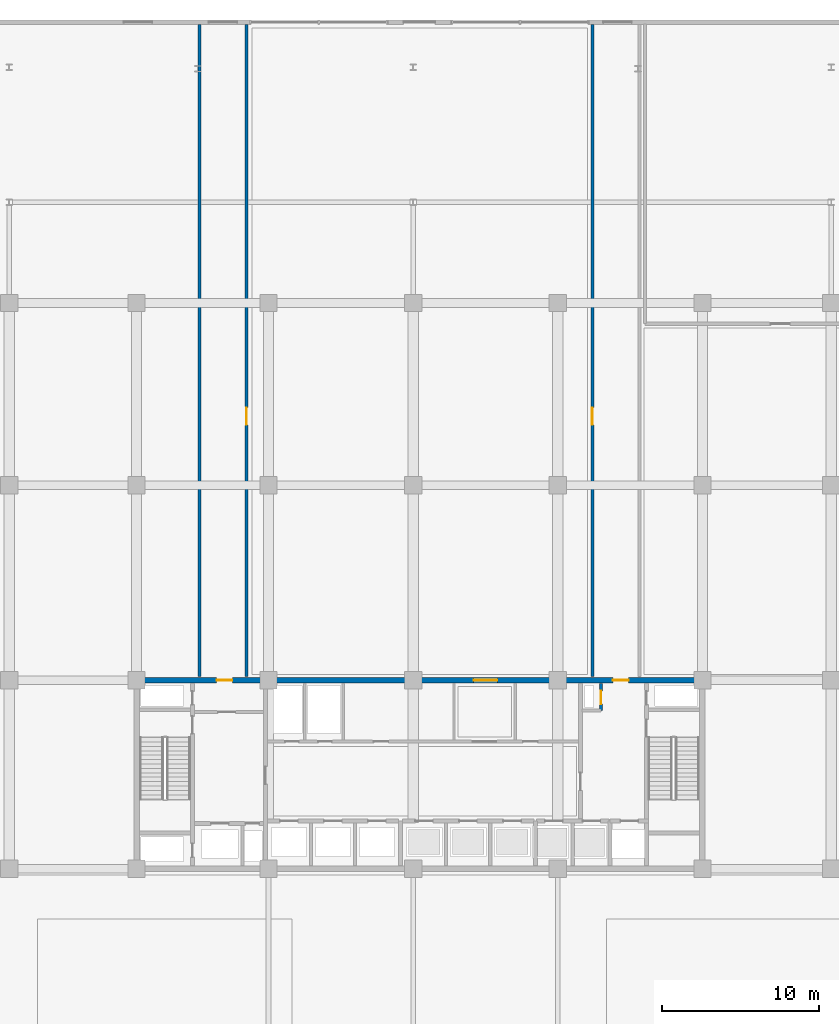
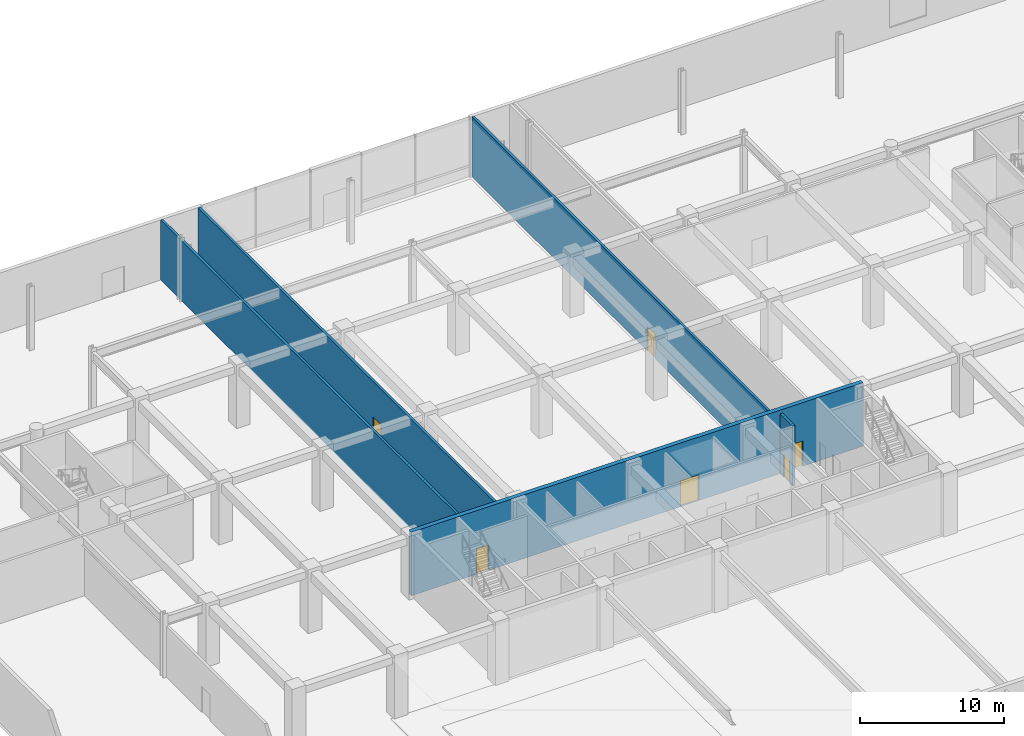
# One storey, part 27 of 46: 6 doors, 5 walls, 6 openings.
"""IFC4 building model written with IfcOpenShell, lengths in metres."""

import ifcopenshell
import ifcopenshell.guid

model = None  # the IFC model being written
_history = None  # IfcOwnerHistory: only IFC2X3 demands one
_inside = {}  # id of a spatial element -> (the spatial element, [elements in it])
_under = {}  # id of a project, library or spatial element -> (it, [spatial elements below it])
_declared = {}  # id of a project -> (the project, [libraries it declares])
_typed = {}  # id of a type object -> (the type object, [elements of that type])
_made_of = {}  # id of a material, layer set ... -> (it, [elements and type objects made of it])


def new_model(schema):
    """Start an empty IFC model of exactly this schema.

    Asked for "IFC4X3", IfcOpenShell would pick the latest addendum, in which some entities
    have other attributes; the version numbers below select the first issue.
    IFC2X3 requires an IfcOwnerHistory on every rooted entity: one is made here for all.
    """
    global model, _history
    if schema == "IFC4X3":
        model = ifcopenshell.file(schema_version=(4, 3, 0, 0))
    else:
        model = ifcopenshell.file(schema=schema)
    _inside.clear()
    _under.clear()
    _declared.clear()
    _typed.clear()
    _made_of.clear()
    _history = None
    if model.schema == "IFC2X3":
        org = make("IfcOrganization", Name="unknown")
        user = make(
            "IfcPersonAndOrganization",
            ThePerson=make("IfcPerson", FamilyName="unknown"),
            TheOrganization=org,
        )
        app = make(
            "IfcApplication",
            ApplicationDeveloper=org,
            Version="unknown",
            ApplicationFullName="unknown",
            ApplicationIdentifier="unknown",
        )
        _history = make(
            "IfcOwnerHistory",
            OwningUser=user,
            OwningApplication=app,
            ChangeAction="ADDED",
            CreationDate=0,
        )
    return model


def make(cls, **values):
    """One entity of the class cls with the attributes given. An attribute that is None is left unset."""
    return model.create_entity(
        cls, **{name: value for name, value in values.items() if value is not None}
    )


def rooted(cls, **values):
    """An entity with a GlobalId (a new one), such as an element, a storey or a relation."""
    return make(cls, GlobalId=ifcopenshell.guid.new(), OwnerHistory=_history, **values)


def si_unit(unit_type, name, prefix=None):
    """IfcSIUnit, for example si_unit("LENGTHUNIT", "METRE", prefix="MILLI")."""
    return make("IfcSIUnit", UnitType=unit_type, Prefix=prefix, Name=name)


def assignment(units):
    """IfcUnitAssignment: the units of a project."""
    return None if units is None else make("IfcUnitAssignment", Units=units)


def point(xyz):
    """IfcCartesianPoint."""
    return None if xyz is None else make("IfcCartesianPoint", Coordinates=xyz)


def direction(xyz):
    """IfcDirection."""
    return None if xyz is None else make("IfcDirection", DirectionRatios=xyz)


def frame(location, z_axis=None, x_axis=None):
    """IfcAxis2Placement3D, a coordinate frame: its origin and axes. An axis left out is left unset."""
    return make(
        "IfcAxis2Placement3D",
        Location=point(location),
        Axis=direction(z_axis),
        RefDirection=direction(x_axis),
    )


def frame_2d(location, x_axis=None):
    """IfcAxis2Placement2D, a coordinate frame in the plane: its origin and x axis."""
    return make(
        "IfcAxis2Placement2D", Location=point(location), RefDirection=direction(x_axis)
    )


def origin():
    """The frame at (0, 0, 0) with its axes left unset."""
    return frame((0.0, 0.0, 0.0))


def place(relative_to, where):
    """IfcLocalPlacement: puts the frame where relative to a parent placement (None: the world)."""
    return make(
        "IfcLocalPlacement", PlacementRelTo=relative_to, RelativePlacement=where
    )


def context(
    kind, dimensions, precision=None, world=None, true_north=None, identifier=None
):
    """IfcGeometricRepresentationContext, for example the 3D "Model" context."""
    return make(
        "IfcGeometricRepresentationContext",
        ContextIdentifier=identifier,
        ContextType=kind,
        CoordinateSpaceDimension=dimensions,
        Precision=precision,
        WorldCoordinateSystem=world,
        TrueNorth=true_north,
    )


def subcontext(parent, identifier, kind, view, scale=None):
    """IfcGeometricRepresentationSubContext, for example "Body" below "Model"."""
    return make(
        "IfcGeometricRepresentationSubContext",
        ContextIdentifier=identifier,
        ContextType=kind,
        ParentContext=parent,
        TargetScale=scale,
        TargetView=view,
    )


def project(units=None, contexts=None):
    """IfcProject with its units and contexts."""
    return rooted(
        "IfcProject",
        Name="project",
        RepresentationContexts=contexts,
        UnitsInContext=assignment(units),
    )


def spatial(cls, under=None, at=None, **own):
    """A site, building, storey or space (cls), placed at a placement, below another one or the project."""
    s = rooted(cls, ObjectPlacement=at, **own)
    if under is not None:
        _under.setdefault(under.id(), (under, []))[1].append(s)
    return s


def profile(cls, at=None, kind="AREA", **sizes):
    """A parametric profile (cls). Its sizes go by their IFC names, for example OverallWidth=200.0."""
    return make(cls, ProfileType=kind, Position=at, **sizes)


def rectangle(**sizes):
    """IfcRectangleProfileDef."""
    return profile("IfcRectangleProfileDef", **sizes)


def extrude(swept, where, along, depth):
    """IfcExtrudedAreaSolid: the profile swept, set in the frame where, extruded along a direction by depth."""
    return make(
        "IfcExtrudedAreaSolid",
        SweptArea=swept,
        Position=where,
        ExtrudedDirection=direction(along),
        Depth=depth,
    )


def shape(context_of_items, identifier, shape_type, items):
    """IfcShapeRepresentation: the items that make up one representation, for example the "Body"."""
    return make(
        "IfcShapeRepresentation",
        ContextOfItems=context_of_items,
        RepresentationIdentifier=identifier,
        RepresentationType=shape_type,
        Items=items,
    )


def material(Name=None, Category=None):
    """IfcMaterial."""
    return make("IfcMaterial", Name=Name, Category=Category)


def layer(
    of_material, thickness, ventilated=None, Name=None, Category=None, Priority=None
):
    """IfcMaterialLayer: one layer of a wall or slab, of a material (None: an air gap)."""
    return make(
        "IfcMaterialLayer",
        Material=of_material,
        LayerThickness=thickness,
        IsVentilated=ventilated,
        Name=Name,
        Category=Category,
        Priority=Priority,
    )


def layer_set(layers, Name=None):
    """IfcMaterialLayerSet."""
    return make("IfcMaterialLayerSet", MaterialLayers=layers, LayerSetName=Name)


def made_of(thing, what):
    """Note that an element or type object is made of a material, layer set ...; save() writes the relation."""
    if what is not None:
        _made_of.setdefault(what.id(), (what, []))[1].append(thing)
    return thing


def type_object(cls, material=None, **own):
    """A type object (cls), such as IfcWallType, which elements share."""
    return made_of(rooted(cls, **own), material)


def element(
    cls,
    number,
    at=None,
    inside=None,
    cuts=None,
    type_object=None,
    material=None,
    context=None,
    identifier="Body",
    shape_type=None,
    held_by="IfcProductDefinitionShape",
    body=None,
    shapes=None,
    **own,
):
    """One element of the class cls, such as IfcWall. Its Tag is "e" and its number.

    at: its placement. inside: the storey or other place that contains it. cuts: it is an
    opening in that element (IfcRelVoidsElement). A single representation is given by context,
    identifier, shape_type and body (its items); several are given by shapes. held_by: the class
    of the entity that holds the representations. save() writes the other relations.
    """
    e = rooted(cls, Tag="e%d" % number, ObjectPlacement=at, **own)
    if body is not None:
        shapes = [shape(context, identifier, shape_type, body)]
    if shapes is not None:
        e.Representation = make(held_by, Representations=shapes)
    if inside is not None:
        _inside.setdefault(inside.id(), (inside, []))[1].append(e)
    if cuts is not None:
        rooted(
            "IfcRelVoidsElement", RelatingBuildingElement=cuts, RelatedOpeningElement=e
        )
    if type_object is not None:
        _typed.setdefault(type_object.id(), (type_object, []))[1].append(e)
    return made_of(e, material)


def fill(opening, filler):
    """IfcRelFillsElement: the door or window that sits in an opening."""
    return rooted(
        "IfcRelFillsElement",
        RelatingOpeningElement=opening,
        RelatedBuildingElement=filler,
    )


def aggregate(whole, parts):
    """IfcRelAggregates: a whole, such as a stair, and the parts it consists of."""
    return rooted("IfcRelAggregates", RelatingObject=whole, RelatedObjects=parts)


def save(model, path):
    """Write the relations noted so far, then the file.

    IfcRelAggregates (storeys below a building ...), IfcRelContainedInSpatialStructure (elements
    in a storey), IfcRelDefinesByType, IfcRelAssociatesMaterial and IfcRelDeclares: one each for
    every whole, place, type object, material and project.
    """
    for whole, parts in _under.values():
        aggregate(whole, parts)
    for where, things in _inside.values():
        rooted(
            "IfcRelContainedInSpatialStructure",
            RelatedElements=things,
            RelatingStructure=where,
        )
    for kind, things in _typed.values():
        rooted("IfcRelDefinesByType", RelatedObjects=things, RelatingType=kind)
    for what, things in _made_of.values():
        rooted("IfcRelAssociatesMaterial", RelatedObjects=things, RelatingMaterial=what)
    for by, libraries in _declared.values():
        rooted("IfcRelDeclares", RelatingContext=by, RelatedDefinitions=libraries)
    model.write(path)


model = new_model("IFC4")

# Units and contexts
model_context = context("Model", 3, precision=1e-05, world=origin(), true_north=direction((0.0, 1.0)))
body_context = subcontext(model_context, "Body", "Model", "MODEL_VIEW")
ifc_project = project(units=[si_unit("LENGTHUNIT", "METRE"), si_unit("AREAUNIT", "SQUARE_METRE"), si_unit("VOLUMEUNIT", "CUBIC_METRE"), si_unit("PLANEANGLEUNIT", "RADIAN"), si_unit("MASSUNIT", "GRAM", prefix="KILO")], contexts=[model_context])

# Site, building, storey
site_placement = place(None, origin())
site = spatial("IfcSite", under=ifc_project, at=site_placement, CompositionType="ELEMENT")
building_placement = place(site_placement, origin())
building = spatial("IfcBuilding", under=site, at=building_placement, Name="Korimba Cascade Residences", CompositionType="ELEMENT")
storey_placement = place(building_placement, origin())
storey = spatial("IfcBuildingStorey", under=building, at=storey_placement, Name="L00", CompositionType="ELEMENT", Elevation=0.0)

# Wall, openings, doors
ifc_material_1 = material(Name="Concrete C65/80", Category="concrete")
ifc_layer_1 = layer(ifc_material_1, 0.35009765625)
ifc_layer_set_1 = layer_set([ifc_layer_1], Name="Concrete C65/80")
wall_type_1 = type_object("IfcWallType", Name="WAL-CORE-350", PredefinedType="SHEAR", material=ifc_layer_set_1)
wall_1_placement = place(storey_placement, frame((75.949951171875, 67.199951171875, 0.0), z_axis=(0.0, 0.0, 1.0), x_axis=(1.0, 0.0, 0.0)))
wall_1 = element("IfcWall", 1, at=wall_1_placement, inside=storey, type_object=wall_type_1, Name="L00 Core Shear Wall CW-L00-T1-N", PredefinedType="SHEAR", context=body_context, shape_type="SweptSolid", body=[
    extrude(rectangle(XDim=36.300048828125, YDim=0.35009765625, at=frame_2d((18.14990234375, 0.0))), origin(), (0.0, 0.0, 1.0), 5.39990234375),
])
opening_1_placement = place(wall_1_placement, frame((5.25, 0.0, 0.0)))
opening_1 = element("IfcOpeningElement", 2, at=opening_1_placement, cuts=wall_1, Name="Opening D-FD5", PredefinedType="OPENING", context=body_context, shape_type="SweptSolid", body=[
    extrude(rectangle(XDim=1.0, YDim=2.14990234375, at=frame_2d((0.5, 1.074951171875))), frame((0.0, 0.18505859375, 0.0), z_axis=(0.0, -1.0, 0.0), x_axis=(1.0, 0.0, 0.0)), (0.0, 0.0, 1.0), 0.3701171875),
])
opening_2_placement = place(wall_1_placement, frame((21.60009765625, 0.0, 0.0)))
opening_2 = element("IfcOpeningElement", 3, at=opening_2_placement, cuts=wall_1, Name="Opening D-FD8", PredefinedType="OPENING", context=body_context, shape_type="SweptSolid", body=[
    extrude(rectangle(XDim=1.5, YDim=2.199951171875, at=frame_2d((0.75, 1.10009765625))), frame((0.0, 0.18505859375, 0.0), z_axis=(0.0, -1.0, 0.0), x_axis=(1.0, 0.0, 0.0)), (0.0, 0.0, 1.0), 0.3701171875),
])
opening_3_placement = place(wall_1_placement, frame((30.449951171875, 0.0, 0.0)))
opening_3 = element("IfcOpeningElement", 4, at=opening_3_placement, cuts=wall_1, Name="Opening D-FD5", PredefinedType="OPENING", context=body_context, shape_type="SweptSolid", body=[
    extrude(rectangle(XDim=1.0, YDim=2.14990234375, at=frame_2d((0.5, 1.074951171875))), frame((0.0, 0.18505859375, 0.0), z_axis=(0.0, -1.0, 0.0), x_axis=(1.0, 0.0, 0.0)), (0.0, 0.0, 1.0), 0.3701171875),
])
ifc_material_2 = material(Name="Fire-Rated Acoustic Timber Vestibule Door", Category="wood")
door_type_1 = type_object("IfcDoorType", Name="DR-FD90-1000", OperationType="NOTDEFINED", PredefinedType="DOOR", material=ifc_material_2)
door_1_placement = place(opening_1_placement, origin())
door_1 = element("IfcDoor", 5, at=door_1_placement, inside=storey, type_object=door_type_1, Name="L00 T1 West Core Vestibule Fire Door", OperationType="SINGLE_SWING_RIGHT", OverallHeight=2.14990234375, OverallWidth=1.0, PredefinedType="DOOR", context=body_context, shape_type="SweptSolid", body=[
    extrude(rectangle(XDim=1.0, YDim=2.14990234375, at=frame_2d((0.5, 1.074951171875))), frame((0.0, 0.02490234375, 0.0), z_axis=(0.0, -1.0, 0.0), x_axis=(1.0, 0.0, 0.0)), (0.0, 0.0, 1.0), 0.050048828125),
])
fill(opening_1, door_1)
door_2_placement = place(opening_3_placement, origin())
door_2 = element("IfcDoor", 6, at=door_2_placement, inside=storey, type_object=door_type_1, Name="L00 T1 East Firefighting Vestibule Fire Door", OperationType="SINGLE_SWING_LEFT", OverallHeight=2.14990234375, OverallWidth=1.0, PredefinedType="DOOR", context=body_context, shape_type="SweptSolid", body=[
    extrude(rectangle(XDim=1.0, YDim=2.14990234375, at=frame_2d((0.5, 1.074951171875))), frame((0.0, 0.02490234375, 0.0), z_axis=(0.0, -1.0, 0.0), x_axis=(1.0, 0.0, 0.0)), (0.0, 0.0, 1.0), 0.050048828125),
])
fill(opening_3, door_2)
ifc_material_3 = material(Name="Fire-Rated Glazed Lift Lobby Double Door", Category="glass")
door_type_2 = type_object("IfcDoorType", Name="DR-FD90-1500", OperationType="NOTDEFINED", PredefinedType="DOOR", material=ifc_material_3)
door_3_placement = place(opening_2_placement, origin())
door_3 = element("IfcDoor", 7, at=door_3_placement, inside=storey, type_object=door_type_2, Name="L00 T1 Lift Lobby Fire Door", OperationType="DOUBLE_DOOR_SINGLE_SWING", OverallHeight=2.199951171875, OverallWidth=1.5, PredefinedType="DOOR", context=body_context, shape_type="SweptSolid", body=[
    extrude(rectangle(XDim=1.5, YDim=2.199951171875, at=frame_2d((0.75, 1.10009765625))), frame((0.0, 0.02490234375, 0.0), z_axis=(0.0, -1.0, 0.0), x_axis=(1.0, 0.0, 0.0)), (0.0, 0.0, 1.0), 0.050048828125),
])
fill(opening_2, door_3)

# Wall, opening, door
ifc_material_4 = material(Name="Concrete C40/50", Category="concrete")
ifc_layer_2 = layer(ifc_material_4, 0.199951171875)
ifc_layer_set_2 = layer_set([ifc_layer_2], Name="Concrete C40/50")
wall_type_2 = type_object("IfcWallType", Name="WAL-PART-200", PredefinedType="PARTITIONING", material=ifc_layer_set_2)
wall_2_placement = place(storey_placement, frame((105.64990234375, 65.280029296875, 0.0), z_axis=(0.0, 0.0, 1.0), x_axis=(0.0, 1.0, 0.0)))
wall_2 = element("IfcWall", 8, at=wall_2_placement, inside=storey, type_object=wall_type_2, Name="L00 Partition Wall CW-L00-T1-HYDW2E", PredefinedType="PARTITIONING", context=body_context, shape_type="SweptSolid", body=[
    extrude(rectangle(XDim=1.719970703125, YDim=0.199951171875, at=frame_2d((0.85986328125, 0.0))), origin(), (0.0, 0.0, 1.0), 5.10009765625),
])
opening_4_placement = place(wall_2_placement, frame((0.39990234375, 0.0, 0.0)))
opening_4 = element("IfcOpeningElement", 9, at=opening_4_placement, cuts=wall_2, Name="Opening D-RS1", PredefinedType="OPENING", context=body_context, shape_type="SweptSolid", body=[
    extrude(rectangle(XDim=0.85009765625, YDim=2.050048828125, at=frame_2d((0.425048828125, 1.02490234375))), frame((0.0, 0.10986328125, 0.0), z_axis=(0.0, -1.0, 0.0), x_axis=(1.0, 0.0, 0.0)), (0.0, 0.0, 1.0), 0.219970703125),
])
ifc_material_5 = material(Name="Fire-Rated Steel Riser Access Door", Category="steel")
door_type_3 = type_object("IfcDoorType", Name="DR-FD60-850", OperationType="NOTDEFINED", PredefinedType="DOOR", material=ifc_material_5)
door_4_placement = place(opening_4_placement, origin())
door_4 = element("IfcDoor", 10, at=door_4_placement, inside=storey, type_object=door_type_3, Name="L00 East Hydrant Door", OperationType="SINGLE_SWING_RIGHT", OverallHeight=2.050048828125, OverallWidth=0.85009765625, PredefinedType="DOOR", context=body_context, shape_type="SweptSolid", body=[
    extrude(rectangle(XDim=0.85009765625, YDim=2.050048828125, at=frame_2d((0.425048828125, 1.02490234375))), frame((0.0, 0.02490234375, 0.0), z_axis=(0.0, -1.0, 0.0), x_axis=(1.0, 0.0, 0.0)), (0.0, 0.0, 1.0), 0.050048828125),
])
fill(opening_4, door_4)

# Wall
wall_3_placement = place(storey_placement, frame((80.10009765625, 67.449951171875, 0.0), z_axis=(0.0, 0.0, 1.0), x_axis=(0.0, 1.0, 0.0)))
element("IfcWall", 11, at=wall_3_placement, inside=storey, type_object=wall_type_2, Name="L00 Partition Wall WAL-L00-XPN1W", PredefinedType="PARTITIONING", context=body_context, shape_type="SweptSolid", body=[
    extrude(rectangle(XDim=41.449951171875, YDim=0.199951171875, at=frame_2d((20.72509765625, 0.0))), origin(), (0.0, 0.0, 1.0), 5.10009765625),
])

# Wall, opening, door
wall_4_placement = place(storey_placement, frame((83.10009765625, 67.449951171875, 0.0), z_axis=(0.0, 0.0, 1.0), x_axis=(0.0, 1.0, 0.0)))
wall_4 = element("IfcWall", 12, at=wall_4_placement, inside=storey, type_object=wall_type_2, Name="L00 Partition Wall WAL-L00-XPN1E", PredefinedType="PARTITIONING", context=body_context, shape_type="SweptSolid", body=[
    extrude(rectangle(XDim=41.449951171875, YDim=0.199951171875, at=frame_2d((20.72509765625, 0.0))), origin(), (0.0, 0.0, 1.0), 5.10009765625),
])
opening_5_placement = place(wall_4_placement, frame((16.0, 0.0, 0.0)))
opening_5 = element("IfcOpeningElement", 13, at=opening_5_placement, cuts=wall_4, Name="Opening D-FD1", PredefinedType="OPENING", context=body_context, shape_type="SweptSolid", body=[
    extrude(rectangle(XDim=1.10009765625, YDim=2.10009765625, at=frame_2d((0.550048828125, 1.050048828125))), frame((0.0, 0.10986328125, 0.0), z_axis=(0.0, -1.0, 0.0), x_axis=(1.0, 0.0, 0.0)), (0.0, 0.0, 1.0), 0.219970703125),
])
ifc_material_6 = material(Name="Fire-Rated Steel Core Door", Category="steel")
door_type_4 = type_object("IfcDoorType", Name="DR-FD120-1100", OperationType="NOTDEFINED", PredefinedType="DOOR", material=ifc_material_6)
door_5_placement = place(opening_5_placement, origin())
door_5 = element("IfcDoor", 14, at=door_5_placement, inside=storey, type_object=door_type_4, Name="L00 North Lobby to NW Exit Passage Door", OperationType="SINGLE_SWING_RIGHT", OverallHeight=2.10009765625, OverallWidth=1.10009765625, PredefinedType="DOOR", context=body_context, shape_type="SweptSolid", body=[
    extrude(rectangle(XDim=1.10009765625, YDim=2.10009765625, at=frame_2d((0.550048828125, 1.050048828125))), frame((0.0, 0.02490234375, 0.0), z_axis=(0.0, -1.0, 0.0), x_axis=(1.0, 0.0, 0.0)), (0.0, 0.0, 1.0), 0.050048828125),
])
fill(opening_5, door_5)

wall_5_placement = place(storey_placement, frame((105.10009765625, 67.449951171875, 0.0), z_axis=(0.0, 0.0, 1.0), x_axis=(0.0, 1.0, 0.0)))
wall_5 = element("IfcWall", 15, at=wall_5_placement, inside=storey, type_object=wall_type_2, Name="L00 Partition Wall WAL-L00-XPN2W", PredefinedType="PARTITIONING", context=body_context, shape_type="SweptSolid", body=[
    extrude(rectangle(XDim=41.449951171875, YDim=0.199951171875, at=frame_2d((20.72509765625, 0.0))), origin(), (0.0, 0.0, 1.0), 5.10009765625),
])
opening_6_placement = place(wall_5_placement, frame((16.0, 0.0, 0.0)))
opening_6 = element("IfcOpeningElement", 16, at=opening_6_placement, cuts=wall_5, Name="Opening D-FD1", PredefinedType="OPENING", context=body_context, shape_type="SweptSolid", body=[
    extrude(rectangle(XDim=1.10009765625, YDim=2.10009765625, at=frame_2d((0.550048828125, 1.050048828125))), frame((0.0, 0.10986328125, 0.0), z_axis=(0.0, -1.0, 0.0), x_axis=(1.0, 0.0, 0.0)), (0.0, 0.0, 1.0), 0.219970703125),
])
door_6_placement = place(opening_6_placement, origin())
door_6 = element("IfcDoor", 17, at=door_6_placement, inside=storey, type_object=door_type_4, Name="L00 North Lobby to NE Exit Passage Door", OperationType="SINGLE_SWING_LEFT", OverallHeight=2.10009765625, OverallWidth=1.10009765625, PredefinedType="DOOR", context=body_context, shape_type="SweptSolid", body=[
    extrude(rectangle(XDim=1.10009765625, YDim=2.10009765625, at=frame_2d((0.550048828125, 1.050048828125))), frame((0.0, 0.02490234375, 0.0), z_axis=(0.0, -1.0, 0.0), x_axis=(1.0, 0.0, 0.0)), (0.0, 0.0, 1.0), 0.050048828125),
])
fill(opening_6, door_6)

save(model, "model.ifc")
